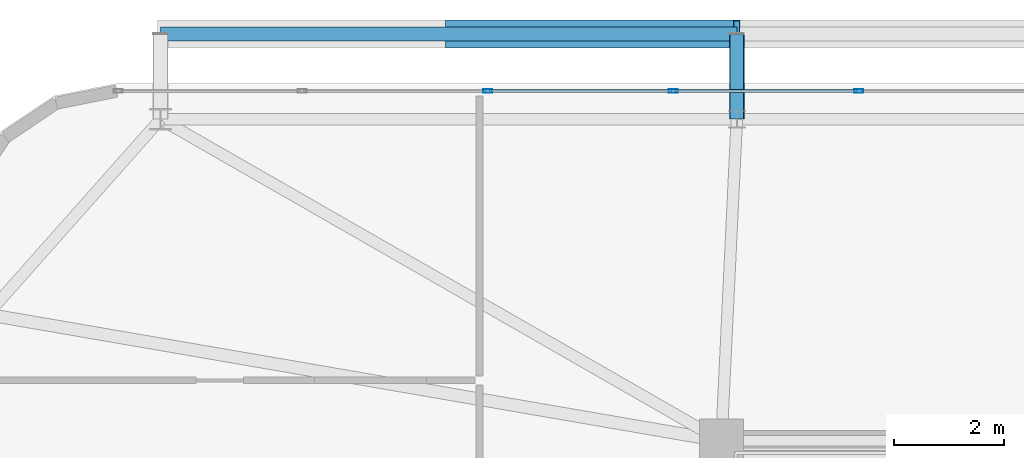
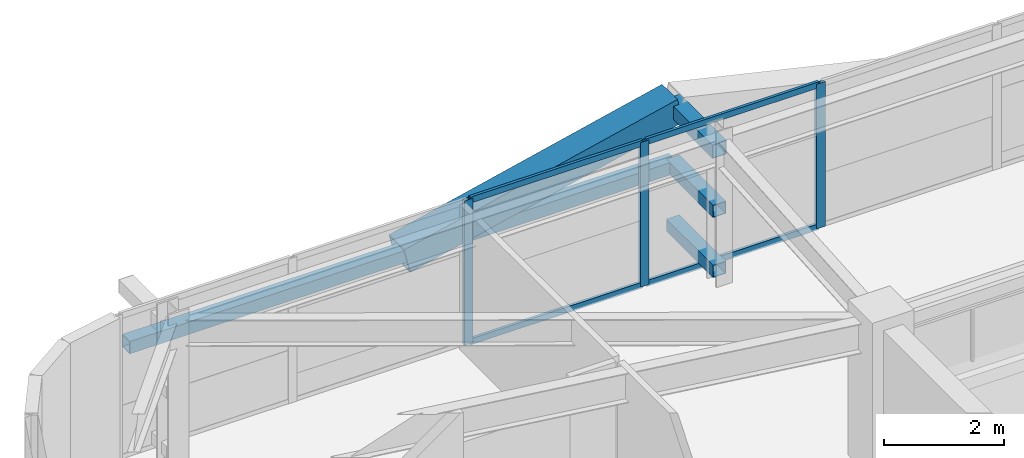
# One storey, part 35 of 59: 12 members, 1 element without a shape of its own.
"""IFC4 building model written with IfcOpenShell, lengths in metres."""

from ifc_helpers import new_model, si_unit, direction, frame, origin, origin_2d, place, context, subcontext, project, spatial, hollow_rectangle, extrude, source, transform, mapped, material, layer, layer_set, material_profile, profile_set, type_object, element, aggregate, save


model = new_model("IFC4")

# Units and contexts
model_context = context("Model", 3, precision=1e-05, world=origin(), true_north=direction((0.0, 1.0)))
body_context = subcontext(model_context, "Body", "Model", "MODEL_VIEW")
ifc_project = project(units=[si_unit("LENGTHUNIT", "METRE"), si_unit("AREAUNIT", "SQUARE_METRE"), si_unit("VOLUMEUNIT", "CUBIC_METRE"), si_unit("PLANEANGLEUNIT", "RADIAN"), si_unit("MASSUNIT", "GRAM", prefix="KILO")], contexts=[model_context])

# Site, building, storey
site_placement = place(None, origin())
site = spatial("IfcSite", under=ifc_project, at=site_placement, CompositionType="ELEMENT")
building_placement = place(site_placement, origin())
building = spatial("IfcBuilding", under=site, at=building_placement, Name="Taldren Reach Tower", CompositionType="ELEMENT")
storey_placement = place(building_placement, frame((0.0, 0.0, 23.10009765625)))
storey = spatial("IfcBuildingStorey", under=building, at=storey_placement, Name="L06", CompositionType="ELEMENT", Elevation=23.10009765625)

# Members
ifc_material_1 = material(Name="Steel Gr 450 (C450L0)", Category="steel")
ifc_material_profile_1 = material_profile(ifc_material_1, hollow_rectangle(XDim=0.27490234375, YDim=0.27490234375, WallThickness=0.00927734375, at=origin_2d()), Name="275x275x9.3SHS")
ifc_profile_set_1 = profile_set([ifc_material_profile_1], Name="Steel Gr 450 (C450L0)")
member_type_1 = type_object("IfcMemberType", Name="MB-TIE273", PredefinedType="STRUT", material=ifc_profile_set_1)
shared_shape_1 = source(origin(), body_context, "Body", "SweptSolid", [
    extrude(hollow_rectangle(XDim=0.27490234375, YDim=0.27490234375, WallThickness=0.00927734375, at=origin_2d()), origin(), (0.0, 0.0, 1.0), 1.5498046875),
])
member_1_placement = place(storey_placement, frame((19.280029296875, 37.85009765625, 2.64990234375), z_axis=(0.0, 1.0, 0.0), x_axis=(-1.0, 0.0, 0.0)))
element("IfcMember", 1, at=member_1_placement, inside=storey, type_object=member_type_1, Name="Exoskeleton diaphragm tie strut B1-N2 L06", PredefinedType="STRUT", context=body_context, shape_type="MappedRepresentation", body=[
    mapped(shared_shape_1, transform((0.0, 0.0, 0.0), scale=1.0)),
])
ifc_material_profile_2 = material_profile(ifc_material_1, hollow_rectangle(XDim=0.510009765625, YDim=0.510009765625, WallThickness=0.02001953125, at=origin_2d()), Name="510x510x20.0SHS")
ifc_profile_set_2 = profile_set([ifc_material_profile_2], Name="Steel Gr 450 (C450L0)")
member_type_2 = type_object("IfcMemberType", Name="MB-EXO508", PredefinedType="BRACE", material=ifc_profile_set_2)
shared_shape_2 = source(origin(), body_context, "Body", "SweptSolid", [
    extrude(hollow_rectangle(XDim=0.510009765625, YDim=0.510009765625, WallThickness=0.02001953125, at=origin_2d()), origin(), (0.0, 0.0, 1.0), 5.37890625),
])
member_2_placement = place(storey_placement, frame((14.0400390625, 39.39990234375, 1.434814453125), z_axis=(0.97415197996, 0.0, 0.225893603143), x_axis=(0.0, 1.0, 0.0)))
element("IfcMember", 2, at=member_2_placement, inside=storey, type_object=member_type_2, Name="Exoskeleton Diagrid Brace B1-N1 L06", PredefinedType="BRACE", context=body_context, shape_type="MappedRepresentation", body=[
    mapped(shared_shape_2, transform((0.0, 0.0, 0.0), scale=1.0)),
])
ifc_material_2 = material(Name="Steel Gr 350 (C350L0)", Category="steel")
ifc_material_profile_3 = material_profile(ifc_material_2, hollow_rectangle(XDim=0.25, YDim=0.25, WallThickness=0.010009765625, at=origin_2d()), Name="250x250x10.0SHS")
ifc_profile_set_3 = profile_set([ifc_material_profile_3], Name="Steel Gr 350 (C350L0)")
member_type_3 = type_object("IfcMemberType", Name="MB-POST250", PredefinedType="POST", material=ifc_profile_set_3)
shared_shape_3 = source(origin(), body_context, "Body", "SweptSolid", [
    extrude(hollow_rectangle(XDim=0.25, YDim=0.25, WallThickness=0.010009765625, at=origin_2d()), origin(), (0.0, 0.0, 1.0), 10.47998046875),
])
member_3_placement = place(storey_placement, frame((8.800048828125, 39.39990234375, 1.434814453125), z_axis=(1.0, 0.0, 0.0), x_axis=(0.0, 1.0, 0.0)))
element("IfcMember", 3, at=member_3_placement, inside=storey, type_object=member_type_3, Name="Exoskeleton mid-height ring chord B1-N1 L06", PredefinedType="POST", context=body_context, shape_type="MappedRepresentation", body=[
    mapped(shared_shape_3, transform((0.0, 0.0, 0.0), scale=1.0)),
])
shared_shape_4 = source(origin(), body_context, "Body", "SweptSolid", [
    extrude(hollow_rectangle(XDim=0.25, YDim=0.25, WallThickness=0.010009765625, at=origin_2d()), origin(), (0.0, 0.0, 1.0), 1.5498046875),
])
for number, where, z_axis, x_axis, name in (
    (4, (19.280029296875, 37.85009765625, 0.219970703125), (0.0, 1.0, 0.0), (-1.0, 0.0, 0.0), "Exoskeleton base diaphragm tie strut B1-N2 L06"),
    (5, (19.280029296875, 37.85009765625, 1.434814453125), (0.0, 1.0, 0.0), (-1.0, 0.0, 0.0), "Exoskeleton mid-tier diaphragm tie B1-N2 L06"),
):
    element("IfcMember", number, at=place(storey_placement, frame(where, z_axis=z_axis, x_axis=x_axis)), inside=storey, type_object=member_type_3, Name=name, PredefinedType="POST", context=body_context, shape_type="MappedRepresentation", body=[
        mapped(shared_shape_4, transform((0.0, 0.0, 0.0), scale=1.0)),
    ])

# Curtain wall, members
ifc_material_3 = material(Name="Aluminium and Low-E Glass Unitised System", Category="aluminium")
ifc_layer = layer(ifc_material_3, 0.159912109375)
ifc_layer_set = layer_set([ifc_layer], Name="Aluminium and Low-E Glass Unitised System")
curtain_wall_type = type_object("IfcCurtainWallType", Name="CW-SYS-2", PredefinedType="NOTDEFINED", material=ifc_layer_set)
curtain_wall_placement = place(storey_placement, origin())
curtain_wall = element("IfcCurtainWall", 6, at=curtain_wall_placement, inside=storey, type_object=curtain_wall_type, Name="Unitised curtain wall CW-L06-N", PredefinedType="NOTDEFINED")
ifc_material_4 = material(Name="Anodised Aluminium 6063-T6", Category="aluminium")
ifc_material_profile_4 = material_profile(ifc_material_4, hollow_rectangle(XDim=0.06494140625, YDim=0.1650390625, WallThickness=0.00390625, at=origin_2d()), Name="ALU-165x65x4RHS")
ifc_profile_set_4 = profile_set([ifc_material_profile_4], Name="Anodised Aluminium 6063-T6")
member_type_4 = type_object("IfcMemberType", Name="CW-MUL-165", PredefinedType="MULLION", material=ifc_profile_set_4)
shared_shape_5 = source(origin(), body_context, "Body", "SweptSolid", [
    extrude(hollow_rectangle(XDim=0.06494140625, YDim=0.1650390625, WallThickness=0.00390625, at=origin_2d()), origin(), (0.0, 0.0, 1.0), 2.929931640625),
])
member_4_placement = place(storey_placement, frame((21.5, 38.360107421875, 0.0), z_axis=(0.0, 0.0, 1.0), x_axis=(0.0, -1.0, 0.0)))
member_4 = element("IfcMember", 7, at=member_4_placement, type_object=member_type_4, Name="CW-2 mullion 13", PredefinedType="MULLION", context=body_context, shape_type="MappedRepresentation", body=[
    mapped(shared_shape_5, transform((0.0, 0.0, 0.0), scale=1.0)),
])
member_5_placement = place(storey_placement, frame((18.125, 38.360107421875, 0.0), z_axis=(0.0, 0.0, 1.0), x_axis=(0.0, -1.0, 0.0)))
member_5 = element("IfcMember", 8, at=member_5_placement, type_object=member_type_4, Name="CW-2 mullion 14", PredefinedType="MULLION", context=body_context, shape_type="MappedRepresentation", body=[
    mapped(shared_shape_5, transform((0.0, 0.0, 0.0), scale=1.0)),
])
member_6_placement = place(storey_placement, frame((14.75, 38.360107421875, 0.0), z_axis=(0.0, 0.0, 1.0), x_axis=(0.0, -1.0, 0.0)))
member_6 = element("IfcMember", 9, at=member_6_placement, type_object=member_type_4, Name="CW-2 mullion 15", PredefinedType="MULLION", context=body_context, shape_type="MappedRepresentation", body=[
    mapped(shared_shape_5, transform((0.0, 0.0, 0.0), scale=1.0)),
])
ifc_material_profile_5 = material_profile(ifc_material_4, hollow_rectangle(XDim=0.054931640625, YDim=0.1201171875, WallThickness=0.0029296875, at=origin_2d()), Name="ALU-120x55x3RHS")
ifc_profile_set_5 = profile_set([ifc_material_profile_5], Name="Anodised Aluminium 6063-T6")
member_type_5 = type_object("IfcMemberType", Name="CW-TRN-135", PredefinedType="USERDEFINED", material=ifc_profile_set_5)
shared_shape_6 = source(origin(), body_context, "Body", "SweptSolid", [
    extrude(hollow_rectangle(XDim=0.054931640625, YDim=0.1201171875, WallThickness=0.0029296875, at=origin_2d()), origin(), (0.0, 0.0, 1.0), 3.31005859375),
])
member_7_placement = place(storey_placement, frame((21.467529296875, 38.360107421875, 0.02734375), z_axis=(-1.0, 0.0, 0.0), x_axis=(0.0, -1.0, 0.0)))
member_7 = element("IfcMember", 10, at=member_7_placement, type_object=member_type_5, Name="CW-2 transom 13.1", ObjectType="TRANSOM", PredefinedType="USERDEFINED", context=body_context, shape_type="MappedRepresentation", body=[
    mapped(shared_shape_6, transform((0.0, 0.0, 0.0), scale=1.0)),
])
member_8_placement = place(storey_placement, frame((21.467529296875, 38.360107421875, 2.90234375), z_axis=(-1.0, 0.0, 0.0), x_axis=(0.0, -1.0, 0.0)))
member_8 = element("IfcMember", 11, at=member_8_placement, type_object=member_type_5, Name="CW-2 transom 13.2", ObjectType="TRANSOM", PredefinedType="USERDEFINED", context=body_context, shape_type="MappedRepresentation", body=[
    mapped(shared_shape_6, transform((0.0, 0.0, 0.0), scale=1.0)),
])
member_9_placement = place(storey_placement, frame((18.092529296875, 38.360107421875, 0.02734375), z_axis=(-1.0, 0.0, 0.0), x_axis=(0.0, -1.0, 0.0)))
member_9 = element("IfcMember", 12, at=member_9_placement, type_object=member_type_5, Name="CW-2 transom 14.1", ObjectType="TRANSOM", PredefinedType="USERDEFINED", context=body_context, shape_type="MappedRepresentation", body=[
    mapped(shared_shape_6, transform((0.0, 0.0, 0.0), scale=1.0)),
])
member_10_placement = place(storey_placement, frame((18.092529296875, 38.360107421875, 2.90234375), z_axis=(-1.0, 0.0, 0.0), x_axis=(0.0, -1.0, 0.0)))
member_10 = element("IfcMember", 13, at=member_10_placement, type_object=member_type_5, Name="CW-2 transom 14.2", ObjectType="TRANSOM", PredefinedType="USERDEFINED", context=body_context, shape_type="MappedRepresentation", body=[
    mapped(shared_shape_6, transform((0.0, 0.0, 0.0), scale=1.0)),
])
aggregate(curtain_wall, [member_4, member_5, member_6, member_7, member_8, member_9, member_10])

save(model, "model.ifc")
